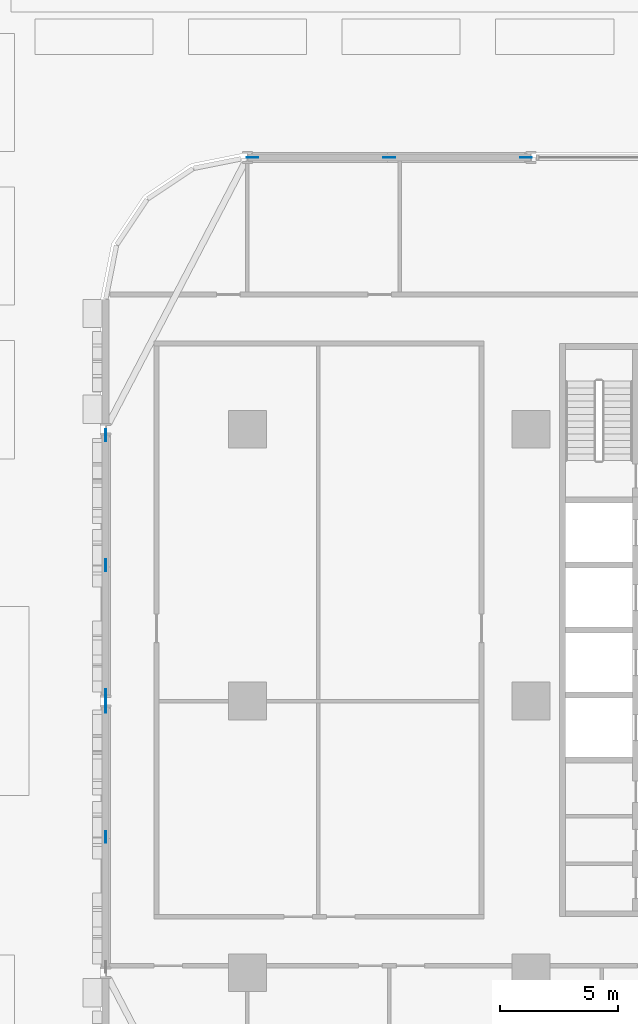
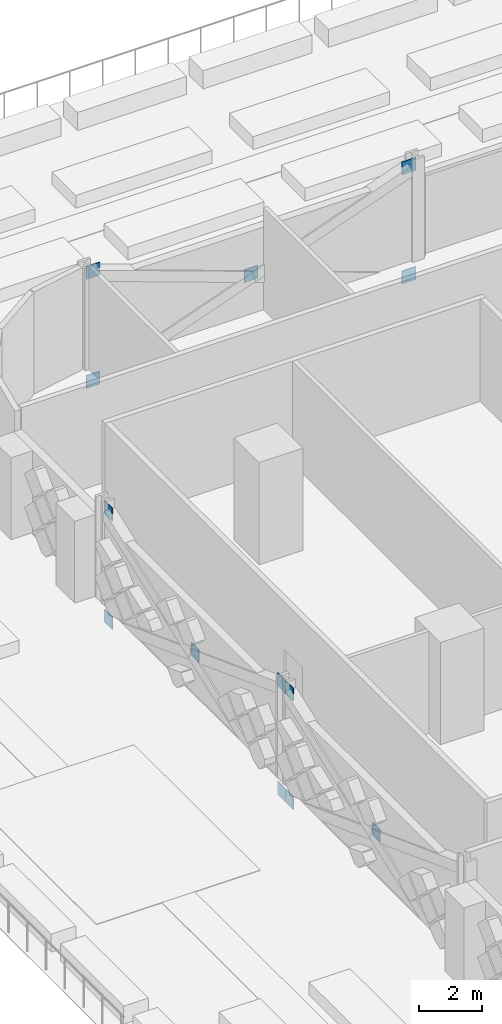
# One storey, part 22 of 39: 13 discrete accessories.
"""IFC4 building model written with IfcOpenShell, lengths in metres."""

from ifc_helpers import new_model, si_unit, direction, frame, origin, origin_2d, place, context, subcontext, project, spatial, rectangle, extrude, material, layer, layer_set, type_object, element, save


model = new_model("IFC4")

# Units and contexts
model_context = context("Model", 3, precision=1e-05, world=origin(), true_north=direction((0.0, 1.0)))
body_context = subcontext(model_context, "Body", "Model", "MODEL_VIEW")
ifc_project = project(units=[si_unit("LENGTHUNIT", "METRE"), si_unit("AREAUNIT", "SQUARE_METRE"), si_unit("VOLUMEUNIT", "CUBIC_METRE"), si_unit("PLANEANGLEUNIT", "RADIAN"), si_unit("MASSUNIT", "GRAM", prefix="KILO")], contexts=[model_context])

# Site, building, storey
site_placement = place(None, origin())
site = spatial("IfcSite", under=ifc_project, at=site_placement, CompositionType="ELEMENT")
building_placement = place(site_placement, origin())
building = spatial("IfcBuilding", under=site, at=building_placement, Name="Mahtab Terrace Research Tower", CompositionType="ELEMENT")
storey_placement = place(building_placement, frame((0.0, 0.0, 7.199951171875)))
storey = spatial("IfcBuildingStorey", under=building, at=storey_placement, Name="L01", CompositionType="ELEMENT", Elevation=7.199951171875)

# Discrete accessories
ifc_material = material(Name="Steel ASTM A992 Gr 50", Category="steel")
ifc_layer = layer(ifc_material, 0.030029296875)
ifc_layer_set = layer_set([ifc_layer], Name="Gusset plate 500x500x30")
discrete_accessory_type = type_object("IfcDiscreteAccessoryType", Name="Gusset plate 500x500x30", PredefinedType="USERDEFINED", material=ifc_layer_set)
for number, where, z_axis, x_axis, name in (
    (1, (-41.7841796875, 23.0, -0.89111328125), (0.0, 0.0, 1.0), (1.0, 0.0, 0.0), "Gusset plate"),
    (2, (-41.7841796875, 23.0, 3.33154296875), (0.0, 0.0, 1.0), (1.0, 0.0, 0.0), "Gusset plate"),
    (3, (-36.0, 23.0, 1.181640625), (0.0, 0.0, 1.0), (1.0, 0.0, 0.0), "Gusset plate"),
    (4, (-30.2158203125, 23.0, -0.89111328125), (0.0, 0.0, 1.0), (1.0, 0.0, 0.0), "Gusset plate"),
    (5, (-30.2158203125, 23.0, 3.33154296875), (0.0, 0.0, 1.0), (1.0, 0.0, 0.0), "Gusset plate"),
    (6, (-48.0, -5.75, 1.181640625), (0.0, 0.0, 1.0), (0.0, 1.0, 0.0), "Gusset plate"),
    (7, (-48.0, -0.248779296875, -0.875244140625), (0.0, 0.0, 1.0), (0.0, 1.0, 0.0), "Gusset plate"),
    (8, (-48.0, -0.248779296875, 3.33154296875), (0.0, 0.0, 1.0), (0.0, 1.0, 0.0), "Gusset plate"),
    (9, (-48.0, 0.248779296875, -0.875244140625), (0.0, 0.0, 1.0), (0.0, 1.0, 0.0), "Gusset plate"),
    (10, (-48.0, 0.248779296875, 3.33154296875), (0.0, 0.0, 1.0), (0.0, 1.0, 0.0), "Gusset plate"),
    (11, (-48.0, 5.75, 1.181640625), (0.0, 0.0, 1.0), (0.0, 1.0, 0.0), "Gusset plate"),
    (12, (-48.0, 11.251220703125, -0.875244140625), (0.0, 0.0, 1.0), (0.0, 1.0, 0.0), "Gusset plate"),
    (13, (-48.0, 11.251220703125, 3.33154296875), (0.0, 0.0, 1.0), (0.0, 1.0, 0.0), "Gusset plate"),
):
    element("IfcDiscreteAccessory", number, at=place(storey_placement, frame(where, z_axis=z_axis, x_axis=x_axis)), inside=storey, type_object=discrete_accessory_type, Name=name, ObjectType="GUSSET PLATE", PredefinedType="USERDEFINED", context=body_context, shape_type="SweptSolid", body=[
        extrude(rectangle(XDim=0.5, YDim=0.030029296875, at=origin_2d()), origin(), (0.0, 0.0, 1.0), 0.5),
    ])

save(model, "model.ifc")
